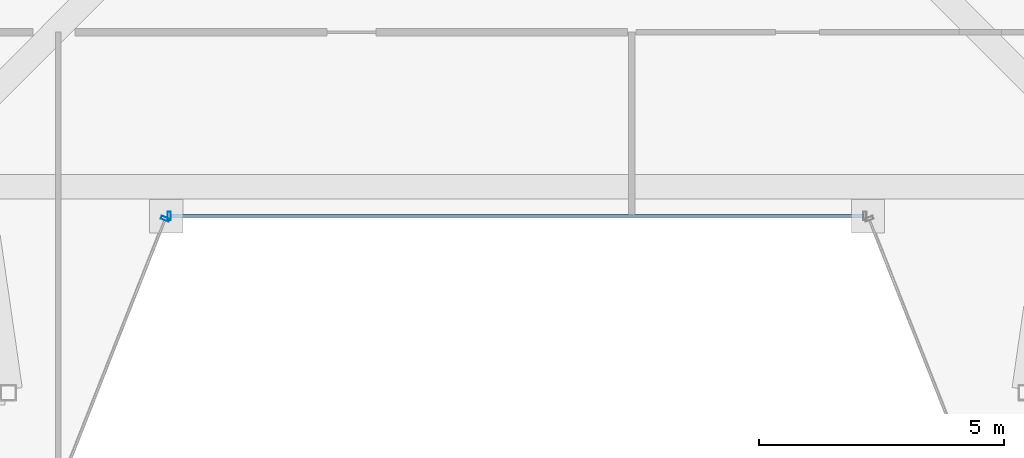
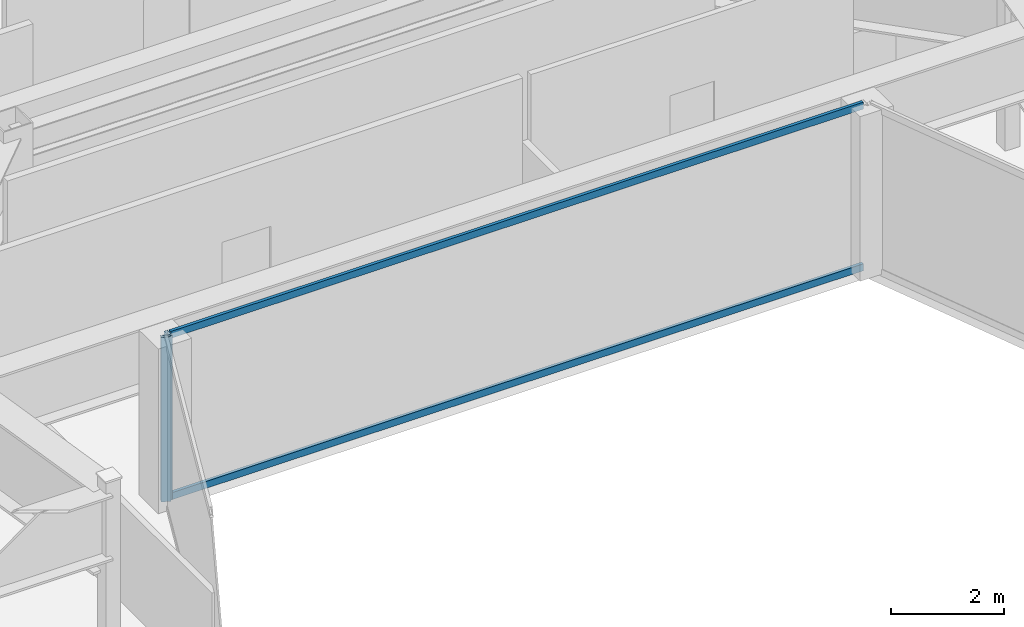
# One storey, part 7 of 23: 4 members, 2 elements without a shape of their own.
"""IFC4 building model written with IfcOpenShell, lengths in metres."""

from ifc_helpers import new_model, si_unit, direction, frame, origin, origin_2d, place, context, subcontext, project, spatial, hollow_rectangle, extrude, material, material_profile, profile_set, type_object, element, aggregate, save


model = new_model("IFC4")

# Units and contexts
model_context = context("Model", 3, precision=1e-05, world=origin(), true_north=direction((0.0, 1.0)))
body_context = subcontext(model_context, "Body", "Model", "MODEL_VIEW")
ifc_project = project(units=[si_unit("LENGTHUNIT", "METRE"), si_unit("AREAUNIT", "SQUARE_METRE"), si_unit("VOLUMEUNIT", "CUBIC_METRE"), si_unit("PLANEANGLEUNIT", "RADIAN"), si_unit("MASSUNIT", "GRAM", prefix="KILO")], contexts=[model_context])

# Site, building, storey
site_placement = place(None, origin())
site = spatial("IfcSite", under=ifc_project, at=site_placement, CompositionType="ELEMENT")
building_placement = place(site_placement, origin())
building = spatial("IfcBuilding", under=site, at=building_placement, Name="Saevonmaru Cultural Tower", CompositionType="ELEMENT")
storey_placement = place(building_placement, frame((0.0, 0.0, 291.39990234375)))
storey = spatial("IfcBuildingStorey", under=building, at=storey_placement, Name="L69", CompositionType="ELEMENT", Elevation=291.39990234375)

# Curtain wall, member
ifc_material = material(Name="Satin Bronze Anodised Aluminium", Category="aluminium")
curtain_wall_type = type_object("IfcCurtainWallType", Name="CW-TYP-B", PredefinedType="NOTDEFINED", material=ifc_material)
curtain_wall_1_placement = place(storey_placement, origin())
curtain_wall_1 = element("IfcCurtainWall", 1, at=curtain_wall_1_placement, inside=storey, type_object=curtain_wall_type, Name="L69 Unitised Curtain Wall E3", PredefinedType="NOTDEFINED")
ifc_material_profile_1 = material_profile(ifc_material, hollow_rectangle(XDim=0.06494140625, YDim=0.179931640625, WallThickness=0.00390625, at=origin_2d()), Name="ALU-MULL-180x65x4")
ifc_profile_set_1 = profile_set([ifc_material_profile_1], Name="Satin Bronze Anodised Aluminium")
member_type_1 = type_object("IfcMemberType", Name="ML-CW-180x65", PredefinedType="MULLION", material=ifc_profile_set_1)
member_1_placement = place(storey_placement, frame((22.822509765625, 35.544189453125, 0.0), z_axis=(0.0, 0.0, 1.0), x_axis=(0.367172185578, 0.930152990716, 0.0)))
member_1 = element("IfcMember", 2, at=member_1_placement, type_object=member_type_1, Name="CW-TW-L69-E3 mullion 2", PredefinedType="MULLION", context=body_context, shape_type="SweptSolid", body=[
    extrude(hollow_rectangle(XDim=0.06494140625, YDim=0.179931640625, WallThickness=0.00390625, at=origin_2d()), origin(), (0.0, 0.0, 1.0), 3.550048828125),
])
aggregate(curtain_wall_1, [member_1])

# Curtain wall, members
curtain_wall_2_placement = place(storey_placement, origin())
curtain_wall_2 = element("IfcCurtainWall", 3, at=curtain_wall_2_placement, inside=storey, type_object=curtain_wall_type, Name="L69 Unitised Curtain Wall E4", PredefinedType="NOTDEFINED")
member_2_placement = place(storey_placement, frame((22.904296875, 35.60009765625, 0.0), z_axis=(0.0, 0.0, 1.0), x_axis=(1.0, 0.0, 0.0)))
member_2 = element("IfcMember", 4, at=member_2_placement, type_object=member_type_1, Name="CW-TW-L69-E4 mullion 1", PredefinedType="MULLION", context=body_context, shape_type="SweptSolid", body=[
    extrude(hollow_rectangle(XDim=0.06494140625, YDim=0.179931640625, WallThickness=0.00390625, at=origin_2d()), origin(), (0.0, 0.0, 1.0), 3.550048828125),
])
ifc_material_profile_2 = material_profile(ifc_material, hollow_rectangle(XDim=0.06494140625, YDim=0.14990234375, WallThickness=0.00390625, at=origin_2d()), Name="ALU-TRAN-150x65x4")
ifc_profile_set_2 = profile_set([ifc_material_profile_2], Name="Satin Bronze Anodised Aluminium")
member_type_2 = type_object("IfcMemberType", Name="TR-CW-150x65", PredefinedType="USERDEFINED", material=ifc_profile_set_2)
member_3_placement = place(storey_placement, frame((22.93701171875, 35.60009765625, 0.03271484375), z_axis=(1.0, 0.0, 0.0), x_axis=(0.0, 1.0, 0.0)))
member_3 = element("IfcMember", 5, at=member_3_placement, type_object=member_type_2, Name="CW-TW-L69-E4 transom 1.1", ObjectType="TRANSOM", PredefinedType="USERDEFINED", context=body_context, shape_type="SweptSolid", body=[
    extrude(hollow_rectangle(XDim=0.06494140625, YDim=0.14990234375, WallThickness=0.00390625, at=origin_2d()), origin(), (0.0, 0.0, 1.0), 14.1259765625),
])
member_4_placement = place(storey_placement, frame((22.93701171875, 35.60009765625, 3.517578125), z_axis=(1.0, 0.0, 0.0), x_axis=(0.0, 1.0, 0.0)))
member_4 = element("IfcMember", 6, at=member_4_placement, type_object=member_type_2, Name="CW-TW-L69-E4 transom 1.2", ObjectType="TRANSOM", PredefinedType="USERDEFINED", context=body_context, shape_type="SweptSolid", body=[
    extrude(hollow_rectangle(XDim=0.06494140625, YDim=0.14990234375, WallThickness=0.00390625, at=origin_2d()), origin(), (0.0, 0.0, 1.0), 14.1259765625),
])
aggregate(curtain_wall_2, [member_2, member_3, member_4])

save(model, "model.ifc")
